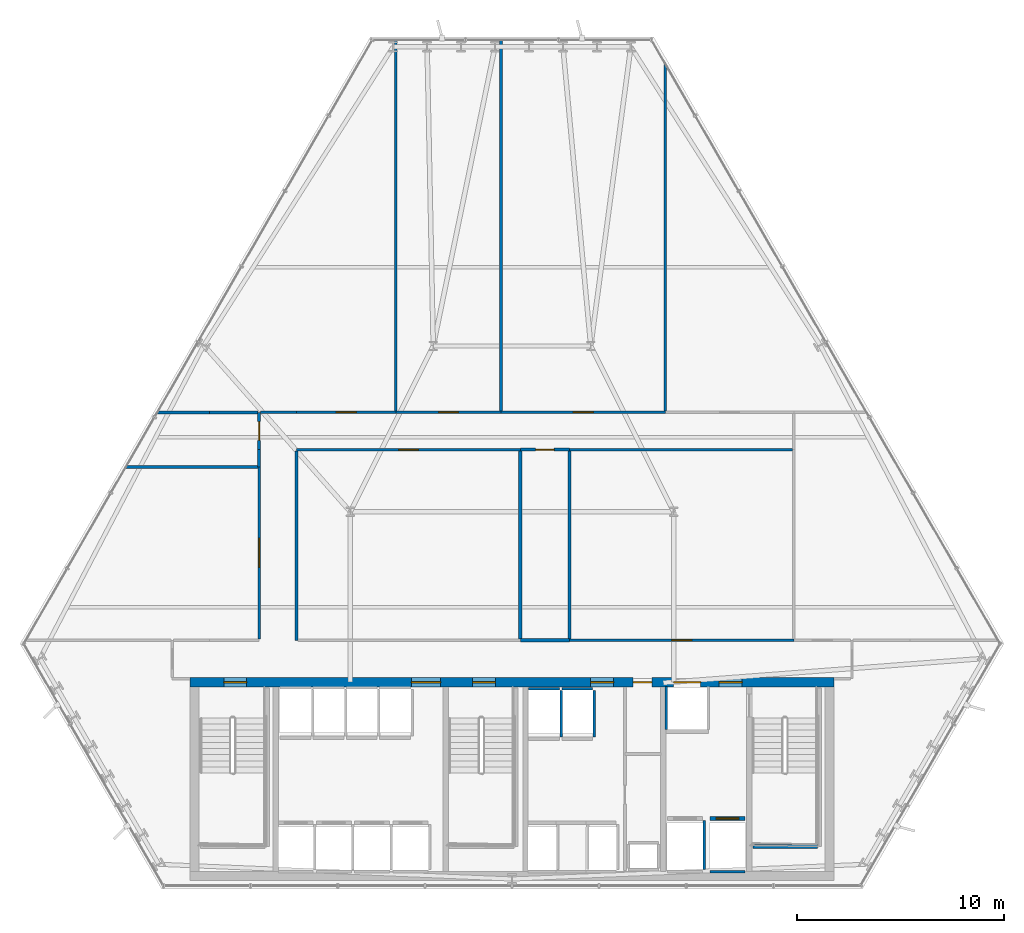
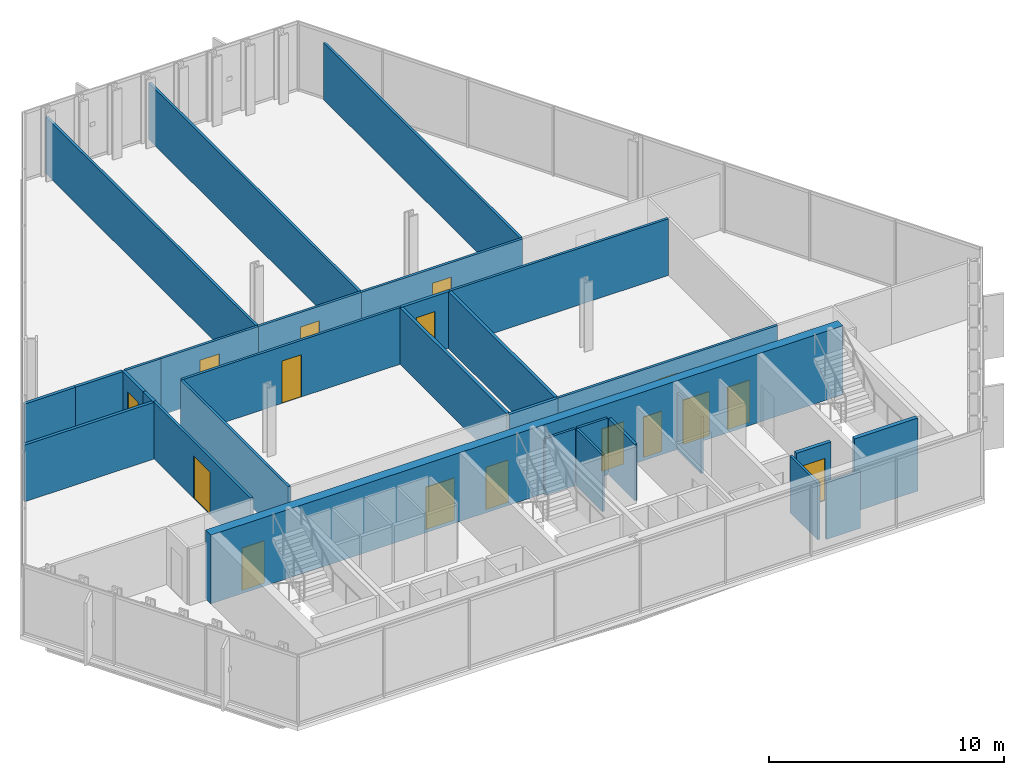
# One storey, part 26 of 31: 31 walls, 16 doors, 16 openings.
"""IFC4 building model written with IfcOpenShell, lengths in metres."""

from ifc_helpers import new_model, si_unit, direction, frame, frame_2d, origin, place, context, subcontext, project, spatial, rectangle, extrude, material, layer, layer_set, type_object, element, fill, save


model = new_model("IFC4")

# Units and contexts
model_context = context("Model", 3, precision=1e-05, world=origin(), true_north=direction((0.0, 1.0)))
body_context = subcontext(model_context, "Body", "Model", "MODEL_VIEW")
ifc_project = project(units=[si_unit("LENGTHUNIT", "METRE"), si_unit("AREAUNIT", "SQUARE_METRE"), si_unit("VOLUMEUNIT", "CUBIC_METRE"), si_unit("PLANEANGLEUNIT", "RADIAN"), si_unit("MASSUNIT", "GRAM", prefix="KILO")], contexts=[model_context])

# Site, building, storey
site_placement = place(None, origin())
site = spatial("IfcSite", under=ifc_project, at=site_placement, CompositionType="ELEMENT")
building_placement = place(site_placement, origin())
building = spatial("IfcBuilding", under=site, at=building_placement, Name="Ndaravel Arena Tower", CompositionType="ELEMENT")
storey_placement = place(building_placement, frame((0.0, 0.0, 104.39990234375)))
storey = spatial("IfcBuildingStorey", under=building, at=storey_placement, Name="L24", CompositionType="ELEMENT", Elevation=104.39990234375)

# Wall, openings, doors
ifc_material_1 = material(Name="Concrete C60/75", Category="concrete")
ifc_layer_1 = layer(ifc_material_1, 0.449951171875)
ifc_layer_set_1 = layer_set([ifc_layer_1], Name="Concrete C60/75")
wall_type_1 = type_object("IfcWallType", Name="WALL-CORE-450", PredefinedType="SOLIDWALL", material=ifc_layer_set_1)
wall_1_placement = place(storey_placement, frame((26.449951171875, 14.97509765625, 0.0), z_axis=(0.0, 0.0, 1.0), x_axis=(1.0, 0.0, 0.0)))
wall_1 = element("IfcWall", 1, at=wall_1_placement, inside=storey, type_object=wall_type_1, Name="L24 Core North Shear Wall", PredefinedType="SOLIDWALL", context=body_context, shape_type="SweptSolid", body=[
    extrude(rectangle(XDim=31.10009765625, YDim=0.449951171875, at=frame_2d((15.550048828125, 0.0))), origin(), (0.0, 0.0, 1.0), 3.580078125),
])
opening_1_placement = place(wall_1_placement, frame((1.64990234375, 0.0, 0.0)))
opening_1 = element("IfcOpeningElement", 2, at=opening_1_placement, cuts=wall_1, Name="Opening FD-01", PredefinedType="OPENING", context=body_context, shape_type="SweptSolid", body=[
    extrude(rectangle(XDim=1.10009765625, YDim=2.199951171875, at=frame_2d((0.550048828125, 1.10009765625))), frame((0.0, 0.22509765625, 0.0), z_axis=(0.0, -1.0, 0.0), x_axis=(1.0, 0.0, 0.0)), (0.0, 0.0, 1.0), 0.449951171875),
])
opening_2_placement = place(wall_1_placement, frame((13.64990234375, 0.0, 0.0)))
opening_2 = element("IfcOpeningElement", 3, at=opening_2_placement, cuts=wall_1, Name="Opening FD-01", PredefinedType="OPENING", context=body_context, shape_type="SweptSolid", body=[
    extrude(rectangle(XDim=1.10009765625, YDim=2.199951171875, at=frame_2d((0.550048828125, 1.10009765625))), frame((0.0, 0.22509765625, 0.0), z_axis=(0.0, -1.0, 0.0), x_axis=(1.0, 0.0, 0.0)), (0.0, 0.0, 1.0), 0.449951171875),
])
opening_3_placement = place(wall_1_placement, frame((25.550048828125, 0.0, 0.0)))
opening_3 = element("IfcOpeningElement", 4, at=opening_3_placement, cuts=wall_1, Name="Opening FD-01", PredefinedType="OPENING", context=body_context, shape_type="SweptSolid", body=[
    extrude(rectangle(XDim=1.10009765625, YDim=2.199951171875, at=frame_2d((0.550048828125, 1.10009765625))), frame((0.0, 0.22509765625, 0.0), z_axis=(0.0, -1.0, 0.0), x_axis=(1.0, 0.0, 0.0)), (0.0, 0.0, 1.0), 0.449951171875),
])
opening_4_placement = place(wall_1_placement, frame((10.699951171875, 0.0, 0.0)))
opening_4 = element("IfcOpeningElement", 5, at=opening_4_placement, cuts=wall_1, Name="Opening ID-02", PredefinedType="OPENING", context=body_context, shape_type="SweptSolid", body=[
    extrude(rectangle(XDim=1.39990234375, YDim=2.199951171875, at=frame_2d((0.699951171875, 1.10009765625))), frame((0.0, 0.22509765625, 0.0), z_axis=(0.0, -1.0, 0.0), x_axis=(1.0, 0.0, 0.0)), (0.0, 0.0, 1.0), 0.449951171875),
])
opening_5_placement = place(wall_1_placement, frame((19.35009765625, 0.0, 0.0)))
opening_5 = element("IfcOpeningElement", 6, at=opening_5_placement, cuts=wall_1, Name="Opening FD-01", PredefinedType="OPENING", context=body_context, shape_type="SweptSolid", body=[
    extrude(rectangle(XDim=1.10009765625, YDim=2.199951171875, at=frame_2d((0.550048828125, 1.10009765625))), frame((0.0, 0.22509765625, 0.0), z_axis=(0.0, -1.0, 0.0), x_axis=(1.0, 0.0, 0.0)), (0.0, 0.0, 1.0), 0.449951171875),
])
opening_6_placement = place(wall_1_placement, frame((21.39990234375, 0.0, 0.0)))
opening_6 = element("IfcOpeningElement", 7, at=opening_6_placement, cuts=wall_1, Name="Opening RD-01", PredefinedType="OPENING", context=body_context, shape_type="SweptSolid", body=[
    extrude(rectangle(XDim=0.89990234375, YDim=2.10009765625, at=frame_2d((0.449951171875, 1.050048828125))), frame((0.0, 0.22509765625, 0.0), z_axis=(0.0, -1.0, 0.0), x_axis=(1.0, 0.0, 0.0)), (0.0, 0.0, 1.0), 0.449951171875),
])
opening_7_placement = place(wall_1_placement, frame((23.35009765625, 0.0, 0.0)))
opening_7 = element("IfcOpeningElement", 8, at=opening_7_placement, cuts=wall_1, Name="Opening LD-02", PredefinedType="OPENING", context=body_context, shape_type="SweptSolid", body=[
    extrude(rectangle(XDim=1.300048828125, YDim=2.300048828125, at=frame_2d((0.64990234375, 1.14990234375))), frame((0.0, 0.22509765625, 0.0), z_axis=(0.0, -1.0, 0.0), x_axis=(1.0, 0.0, 0.0)), (0.0, 0.0, 1.0), 0.449951171875),
])
ifc_material_2 = material(Name="Steel S355", Category="steel")
door_type_1 = type_object("IfcDoorType", Name="DT-01-STAIR-1100", OperationType="SINGLE_SWING_LEFT", PredefinedType="DOOR", material=ifc_material_2)
door_1_placement = place(opening_1_placement, origin())
door_1 = element("IfcDoor", 9, at=door_1_placement, inside=storey, type_object=door_type_1, Name="L24 Exit Stair ST-1 Door", OperationType="SINGLE_SWING_LEFT", OverallHeight=2.199951171875, OverallWidth=1.10009765625, PredefinedType="DOOR", context=body_context, shape_type="SweptSolid", body=[
    extrude(rectangle(XDim=1.10009765625, YDim=2.199951171875, at=frame_2d((0.550048828125, 1.10009765625))), frame((0.0, 0.02490234375, 0.0), z_axis=(0.0, -1.0, 0.0), x_axis=(1.0, 0.0, 0.0)), (0.0, 0.0, 1.0), 0.050048828125),
])
fill(opening_1, door_1)
door_2_placement = place(opening_2_placement, origin())
door_2 = element("IfcDoor", 10, at=door_2_placement, inside=storey, type_object=door_type_1, Name="L24 Exit Stair ST-2 Door", OperationType="SINGLE_SWING_RIGHT", OverallHeight=2.199951171875, OverallWidth=1.10009765625, PredefinedType="DOOR", context=body_context, shape_type="SweptSolid", body=[
    extrude(rectangle(XDim=1.10009765625, YDim=2.199951171875, at=frame_2d((0.550048828125, 1.10009765625))), frame((0.0, 0.02490234375, 0.0), z_axis=(0.0, -1.0, 0.0), x_axis=(1.0, 0.0, 0.0)), (0.0, 0.0, 1.0), 0.050048828125),
])
fill(opening_2, door_2)
door_3_placement = place(opening_3_placement, origin())
door_3 = element("IfcDoor", 11, at=door_3_placement, inside=storey, type_object=door_type_1, Name="L24 Firefighting Lift Lobby Door", OperationType="SINGLE_SWING_RIGHT", OverallHeight=2.199951171875, OverallWidth=1.10009765625, PredefinedType="DOOR", context=body_context, shape_type="SweptSolid", body=[
    extrude(rectangle(XDim=1.10009765625, YDim=2.199951171875, at=frame_2d((0.550048828125, 1.10009765625))), frame((0.0, 0.02490234375, 0.0), z_axis=(0.0, -1.0, 0.0), x_axis=(1.0, 0.0, 0.0)), (0.0, 0.0, 1.0), 0.050048828125),
])
fill(opening_3, door_3)
door_4_placement = place(opening_5_placement, origin())
door_4 = element("IfcDoor", 12, at=door_4_placement, inside=storey, type_object=door_type_1, Name="L24 Express Lift Lobby Entry Door", OperationType="SINGLE_SWING_LEFT", OverallHeight=2.199951171875, OverallWidth=1.10009765625, PredefinedType="DOOR", context=body_context, shape_type="SweptSolid", body=[
    extrude(rectangle(XDim=1.10009765625, YDim=2.199951171875, at=frame_2d((0.550048828125, 1.10009765625))), frame((0.0, 0.02490234375, 0.0), z_axis=(0.0, -1.0, 0.0), x_axis=(1.0, 0.0, 0.0)), (0.0, 0.0, 1.0), 0.050048828125),
])
fill(opening_5, door_4)
ifc_material_3 = material(Name="Timber", Category="wood")
door_type_2 = type_object("IfcDoorType", Name="DT-04-SUITE-1400", OperationType="DOUBLE_DOOR_SINGLE_SWING", PredefinedType="DOOR", material=ifc_material_3)
door_5_placement = place(opening_4_placement, origin())
door_5 = element("IfcDoor", 13, at=door_5_placement, inside=storey, type_object=door_type_2, Name="L24 West Lift Lobby Entry Door", OperationType="DOUBLE_DOOR_SINGLE_SWING", OverallHeight=2.199951171875, OverallWidth=1.39990234375, PredefinedType="DOOR", context=body_context, shape_type="SweptSolid", body=[
    extrude(rectangle(XDim=1.39990234375, YDim=2.199951171875, at=frame_2d((0.699951171875, 1.10009765625))), frame((0.0, 0.02490234375, 0.0), z_axis=(0.0, -1.0, 0.0), x_axis=(1.0, 0.0, 0.0)), (0.0, 0.0, 1.0), 0.050048828125),
])
fill(opening_4, door_5)
ifc_material_4 = material(Name="Steel S355", Category="steel")
door_type_3 = type_object("IfcDoorType", Name="DT-07-SVLIFT-1300", OperationType="DOUBLE_DOOR_SLIDING", PredefinedType="DOOR", material=ifc_material_4)
door_6_placement = place(opening_7_placement, origin())
door_6 = element("IfcDoor", 14, at=door_6_placement, inside=storey, type_object=door_type_3, Name="L24 Lift SVL-1 Sliding Landing Door", OperationType="DOUBLE_DOOR_SLIDING", OverallHeight=2.300048828125, OverallWidth=1.300048828125, PredefinedType="DOOR", context=body_context, shape_type="SweptSolid", body=[
    extrude(rectangle(XDim=1.300048828125, YDim=2.300048828125, at=frame_2d((0.64990234375, 1.14990234375))), frame((0.0, 0.02490234375, 0.0), z_axis=(0.0, -1.0, 0.0), x_axis=(1.0, 0.0, 0.0)), (0.0, 0.0, 1.0), 0.050048828125),
])
fill(opening_7, door_6)
ifc_material_5 = material(Name="Steel S355", Category="steel")
door_type_4 = type_object("IfcDoorType", Name="DT-08-RISER-900", OperationType="SINGLE_SWING_LEFT", PredefinedType="DOOR", material=ifc_material_5)
door_7_placement = place(opening_6_placement, origin())
door_7 = element("IfcDoor", 15, at=door_7_placement, inside=storey, type_object=door_type_4, Name="L24 Core Service Riser North Door", OperationType="SINGLE_SWING_LEFT", OverallHeight=2.10009765625, OverallWidth=0.89990234375, PredefinedType="DOOR", context=body_context, shape_type="SweptSolid", body=[
    extrude(rectangle(XDim=0.89990234375, YDim=2.10009765625, at=frame_2d((0.449951171875, 1.050048828125))), frame((0.0, 0.02490234375, 0.0), z_axis=(0.0, -1.0, 0.0), x_axis=(1.0, 0.0, 0.0)), (0.0, 0.0, 1.0), 0.050048828125),
])
fill(opening_6, door_7)

# Wall, opening, door
ifc_material_6 = material(Name="Gypsum", Category="gypsum")
ifc_layer_2 = layer(ifc_material_6, 0.125)
ifc_layer_set_2 = layer_set([ifc_layer_2], Name="Gypsum")
wall_type_2 = type_object("IfcWallType", Name="WALL-PART-125", PredefinedType="PARTITIONING", material=ifc_layer_set_2)
wall_2_placement = place(storey_placement, frame((29.800048828125, 17.06494140625, 0.0), z_axis=(0.0, 0.0, 1.0), x_axis=(0.0, 1.0, 0.0)))
wall_2 = element("IfcWall", 16, at=wall_2_placement, inside=storey, type_object=wall_type_2, Name="L24 Interior Partition 007", PredefinedType="PARTITIONING", context=body_context, shape_type="SweptSolid", body=[
    extrude(rectangle(XDim=8.295166015625, YDim=0.125, at=frame_2d((4.1474609375, 0.0))), origin(), (0.0, 0.0, 1.0), 2.9501953125),
])
opening_8_placement = place(wall_2_placement, frame((3.447509765625, 0.0, 0.0)))
opening_8 = element("IfcOpeningElement", 17, at=opening_8_placement, cuts=wall_2, Name="Opening ID-02", PredefinedType="OPENING", context=body_context, shape_type="SweptSolid", body=[
    extrude(rectangle(XDim=1.39990234375, YDim=2.199951171875, at=frame_2d((0.699951171875, 1.10009765625))), frame((0.0, 0.0625, 0.0), z_axis=(0.0, -1.0, 0.0), x_axis=(1.0, 0.0, 0.0)), (0.0, 0.0, 1.0), 0.125),
])
door_8_placement = place(opening_8_placement, origin())
door_8 = element("IfcDoor", 18, at=door_8_placement, inside=storey, type_object=door_type_2, Name="L24 Executive Boardroom Door", OperationType="SINGLE_SWING_LEFT", OverallHeight=2.199951171875, OverallWidth=1.39990234375, PredefinedType="DOOR", context=body_context, shape_type="SweptSolid", body=[
    extrude(rectangle(XDim=1.39990234375, YDim=2.199951171875, at=frame_2d((0.699951171875, 1.10009765625))), frame((0.0, 0.02490234375, 0.0), z_axis=(0.0, -1.0, 0.0), x_axis=(1.0, 0.0, 0.0)), (0.0, 0.0, 1.0), 0.050048828125),
])
fill(opening_8, door_8)

# Wall
wall_3_placement = place(storey_placement, frame((29.864990234375, 28.0, 0.0), z_axis=(0.0, 0.0, 1.0), x_axis=(1.0, 0.0, 0.0)))
element("IfcWall", 19, at=wall_3_placement, inside=storey, type_object=wall_type_2, Name="L24 Interior Partition 010", PredefinedType="PARTITIONING", context=body_context, shape_type="SweptSolid", body=[
    extrude(rectangle(XDim=1.735107421875, YDim=0.125, at=frame_2d((0.86767578125, 0.0))), origin(), (0.0, 0.0, 1.0), 2.9501953125),
])

# Wall, opening, door
wall_4_placement = place(storey_placement, frame((31.60009765625, 28.0, 0.0), z_axis=(0.0, 0.0, 1.0), x_axis=(1.0, 0.0, 0.0)))
wall_4 = element("IfcWall", 20, at=wall_4_placement, inside=storey, type_object=wall_type_2, Name="L24 Interior Partition 011", PredefinedType="PARTITIONING", context=body_context, shape_type="SweptSolid", body=[
    extrude(rectangle(XDim=4.7998046875, YDim=0.125, at=frame_2d((2.39990234375, 0.0))), origin(), (0.0, 0.0, 1.0), 2.9501953125),
])
opening_9_placement = place(wall_4_placement, frame((1.925048828125, 0.0, 0.0)))
opening_9 = element("IfcOpeningElement", 21, at=opening_9_placement, cuts=wall_4, Name="Opening ID-01", PredefinedType="OPENING", context=body_context, shape_type="SweptSolid", body=[
    extrude(rectangle(XDim=0.949951171875, YDim=2.199951171875, at=frame_2d((0.47509765625, 1.10009765625))), frame((0.0, 0.0625, 0.0), z_axis=(0.0, -1.0, 0.0), x_axis=(1.0, 0.0, 0.0)), (0.0, 0.0, 1.0), 0.125),
])
ifc_material_7 = material(Name="Timber", Category="wood")
door_type_5 = type_object("IfcDoorType", Name="DT-03-OFFICE-950", OperationType="SINGLE_SWING_LEFT", PredefinedType="DOOR", material=ifc_material_7)
door_9_placement = place(opening_9_placement, origin())
door_9 = element("IfcDoor", 22, at=door_9_placement, inside=storey, type_object=door_type_5, Name="L24 Innovation Showroom 3 Door", OperationType="SINGLE_SWING_RIGHT", OverallHeight=2.199951171875, OverallWidth=0.949951171875, PredefinedType="DOOR", context=body_context, shape_type="SweptSolid", body=[
    extrude(rectangle(XDim=0.949951171875, YDim=2.199951171875, at=frame_2d((0.47509765625, 1.10009765625))), frame((0.0, 0.02490234375, 0.0), z_axis=(0.0, -1.0, 0.0), x_axis=(1.0, 0.0, 0.0)), (0.0, 0.0, 1.0), 0.050048828125),
])
fill(opening_9, door_9)

wall_5_placement = place(storey_placement, frame((36.39990234375, 28.0, 0.0), z_axis=(0.0, 0.0, 1.0), x_axis=(1.0, 0.0, 0.0)))
wall_5 = element("IfcWall", 23, at=wall_5_placement, inside=storey, type_object=wall_type_2, Name="L24 Interior Partition 012", PredefinedType="PARTITIONING", context=body_context, shape_type="SweptSolid", body=[
    extrude(rectangle(XDim=5.070068359375, YDim=0.125, at=frame_2d((2.53515625, 0.0))), origin(), (0.0, 0.0, 1.0), 2.9501953125),
])
opening_10_placement = place(wall_5_placement, frame((2.06005859375, 0.0, 0.0)))
opening_10 = element("IfcOpeningElement", 24, at=opening_10_placement, cuts=wall_5, Name="Opening ID-01", PredefinedType="OPENING", context=body_context, shape_type="SweptSolid", body=[
    extrude(rectangle(XDim=0.949951171875, YDim=2.199951171875, at=frame_2d((0.47509765625, 1.10009765625))), frame((0.0, 0.0625, 0.0), z_axis=(0.0, -1.0, 0.0), x_axis=(1.0, 0.0, 0.0)), (0.0, 0.0, 1.0), 0.125),
])
door_10_placement = place(opening_10_placement, origin())
door_10 = element("IfcDoor", 25, at=door_10_placement, inside=storey, type_object=door_type_5, Name="L24 Publication Shop 4 Door", OperationType="SINGLE_SWING_RIGHT", OverallHeight=2.199951171875, OverallWidth=0.949951171875, PredefinedType="DOOR", context=body_context, shape_type="SweptSolid", body=[
    extrude(rectangle(XDim=0.949951171875, YDim=2.199951171875, at=frame_2d((0.47509765625, 1.10009765625))), frame((0.0, 0.02490234375, 0.0), z_axis=(0.0, -1.0, 0.0), x_axis=(1.0, 0.0, 0.0)), (0.0, 0.0, 1.0), 0.050048828125),
])
fill(opening_10, door_10)

wall_6_placement = place(storey_placement, frame((41.469970703125, 28.0, 0.0), z_axis=(0.0, 0.0, 1.0), x_axis=(1.0, 0.0, 0.0)))
wall_6 = element("IfcWall", 26, at=wall_6_placement, inside=storey, type_object=wall_type_2, Name="L24 Interior Partition 013", PredefinedType="PARTITIONING", context=body_context, shape_type="SweptSolid", body=[
    extrude(rectangle(XDim=7.929931640625, YDim=0.125, at=frame_2d((3.96484375, 0.0))), origin(), (0.0, 0.0, 1.0), 2.9501953125),
])
opening_11_placement = place(wall_6_placement, frame((3.489990234375, 0.0, 0.0)))
opening_11 = element("IfcOpeningElement", 27, at=opening_11_placement, cuts=wall_6, Name="Opening ID-01", PredefinedType="OPENING", context=body_context, shape_type="SweptSolid", body=[
    extrude(rectangle(XDim=0.949951171875, YDim=2.199951171875, at=frame_2d((0.47509765625, 1.10009765625))), frame((0.0, 0.0625, 0.0), z_axis=(0.0, -1.0, 0.0), x_axis=(1.0, 0.0, 0.0)), (0.0, 0.0, 1.0), 0.125),
])
door_11_placement = place(opening_11_placement, origin())
door_11 = element("IfcDoor", 28, at=door_11_placement, inside=storey, type_object=door_type_5, Name="L24 Executive Corner Office 4 Door", OperationType="SINGLE_SWING_LEFT", OverallHeight=2.199951171875, OverallWidth=0.949951171875, PredefinedType="DOOR", context=body_context, shape_type="SweptSolid", body=[
    extrude(rectangle(XDim=0.949951171875, YDim=2.199951171875, at=frame_2d((0.47509765625, 1.10009765625))), frame((0.0, 0.02490234375, 0.0), z_axis=(0.0, -1.0, 0.0), x_axis=(1.0, 0.0, 0.0)), (0.0, 0.0, 1.0), 0.050048828125),
])
fill(opening_11, door_11)

# Wall
wall_7_placement = place(storey_placement, frame((55.534912109375, 26.199951171875, 0.0), z_axis=(0.0, 0.0, 1.0), x_axis=(-1.0, 0.0, 0.0)))
element("IfcWall", 29, at=wall_7_placement, inside=storey, type_object=wall_type_2, Name="L24 Interior Partition 016", PredefinedType="PARTITIONING", context=body_context, shape_type="SweptSolid", body=[
    extrude(rectangle(XDim=10.759033203125, YDim=0.125, at=frame_2d((5.37939453125, 0.0))), origin(), (0.0, 0.0, 1.0), 2.9501953125),
])

# Wall, opening, door
wall_8_placement = place(storey_placement, frame((42.39990234375, 26.199951171875, 0.0), z_axis=(0.0, 0.0, 1.0), x_axis=(-1.0, 0.0, 0.0)))
wall_8 = element("IfcWall", 30, at=wall_8_placement, inside=storey, type_object=wall_type_2, Name="L24 Interior Partition 018", PredefinedType="PARTITIONING", context=body_context, shape_type="SweptSolid", body=[
    extrude(rectangle(XDim=10.7998046875, YDim=0.125, at=frame_2d((5.39990234375, 0.0))), origin(), (0.0, 0.0, 1.0), 2.9501953125),
])
opening_12_placement = place(wall_8_placement, frame((4.925048828125, 0.0, 0.0)))
opening_12 = element("IfcOpeningElement", 31, at=opening_12_placement, cuts=wall_8, Name="Opening ID-01", PredefinedType="OPENING", context=body_context, shape_type="SweptSolid", body=[
    extrude(rectangle(XDim=0.949951171875, YDim=2.199951171875, at=frame_2d((0.47509765625, 1.10009765625))), frame((0.0, 0.0625, 0.0), z_axis=(0.0, -1.0, 0.0), x_axis=(1.0, 0.0, 0.0)), (0.0, 0.0, 1.0), 0.125),
])
door_12_placement = place(opening_12_placement, origin())
door_12 = element("IfcDoor", 32, at=door_12_placement, inside=storey, type_object=door_type_5, Name="L24 Quiet Reading Library Door", OperationType="SINGLE_SWING_RIGHT", OverallHeight=2.199951171875, OverallWidth=0.949951171875, PredefinedType="DOOR", context=body_context, shape_type="SweptSolid", body=[
    extrude(rectangle(XDim=0.949951171875, YDim=2.199951171875, at=frame_2d((0.47509765625, 1.10009765625))), frame((0.0, 0.02490234375, 0.0), z_axis=(0.0, -1.0, 0.0), x_axis=(1.0, 0.0, 0.0)), (0.0, 0.0, 1.0), 0.050048828125),
])
fill(opening_12, door_12)

# Wall
wall_9_placement = place(storey_placement, frame((31.60009765625, 26.135009765625, 0.0), z_axis=(0.0, 0.0, 1.0), x_axis=(0.0, -1.0, 0.0)))
element("IfcWall", 33, at=wall_9_placement, inside=storey, type_object=wall_type_2, Name="L24 Interior Partition 019", PredefinedType="PARTITIONING", context=body_context, shape_type="SweptSolid", body=[
    extrude(rectangle(XDim=9.135009765625, YDim=0.125, at=frame_2d((4.5673828125, 0.0))), origin(), (0.0, 0.0, 1.0), 2.9501953125),
])

# Wall, opening, door
wall_10_placement = place(storey_placement, frame((44.77587890625, 17.0, 0.0), z_axis=(0.0, 0.0, 1.0), x_axis=(1.0, 0.0, 0.0)))
wall_10 = element("IfcWall", 34, at=wall_10_placement, inside=storey, type_object=wall_type_2, Name="L24 Interior Partition 022", PredefinedType="PARTITIONING", context=body_context, shape_type="SweptSolid", body=[
    extrude(rectangle(XDim=10.82421875, YDim=0.125, at=frame_2d((5.412109375, 0.0))), origin(), (0.0, 0.0, 1.0), 2.9501953125),
])
opening_13_placement = place(wall_10_placement, frame((4.93701171875, 0.0, 0.0)))
opening_13 = element("IfcOpeningElement", 35, at=opening_13_placement, cuts=wall_10, Name="Opening ID-01", PredefinedType="OPENING", context=body_context, shape_type="SweptSolid", body=[
    extrude(rectangle(XDim=0.949951171875, YDim=2.199951171875, at=frame_2d((0.47509765625, 1.10009765625))), frame((0.0, 0.0625, 0.0), z_axis=(0.0, -1.0, 0.0), x_axis=(1.0, 0.0, 0.0)), (0.0, 0.0, 1.0), 0.125),
])
door_13_placement = place(opening_13_placement, origin())
door_13 = element("IfcDoor", 36, at=door_13_placement, inside=storey, type_object=door_type_5, Name="L24 Cellular Partner Office 2 Door", OperationType="SINGLE_SWING_RIGHT", OverallHeight=2.199951171875, OverallWidth=0.949951171875, PredefinedType="DOOR", context=body_context, shape_type="SweptSolid", body=[
    extrude(rectangle(XDim=0.949951171875, YDim=2.199951171875, at=frame_2d((0.47509765625, 1.10009765625))), frame((0.0, 0.02490234375, 0.0), z_axis=(0.0, -1.0, 0.0), x_axis=(1.0, 0.0, 0.0)), (0.0, 0.0, 1.0), 0.050048828125),
])
fill(opening_13, door_13)

# Walls
wall_11_placement = place(storey_placement, frame((49.39990234375, 28.06494140625, 0.0), z_axis=(0.0, 0.0, 1.0), x_axis=(0.0, 1.0, 0.0)))
element("IfcWall", 37, at=wall_11_placement, inside=storey, type_object=wall_type_2, Name="L24 Interior Partition 034", PredefinedType="PARTITIONING", context=body_context, shape_type="SweptSolid", body=[
    extrude(rectangle(XDim=16.75341796875, YDim=0.125, at=frame_2d((8.376708984375, 0.0))), origin(), (0.0, 0.0, 1.0), 2.9501953125),
])
for number, where, z_axis, x_axis, name in (
    (38, (36.39990234375, 45.962646484375, 0.0), (0.0, 0.0, 1.0), (0.0, -1.0, 0.0), "L24 Interior Partition 035"),
    (39, (41.469970703125, 28.06494140625, 0.0), (0.0, 0.0, 1.0), (0.0, 1.0, 0.0), "L24 Interior Partition 036"),
):
    element("IfcWall", number, at=place(storey_placement, frame(where, z_axis=z_axis, x_axis=x_axis)), inside=storey, type_object=wall_type_2, Name=name, PredefinedType="PARTITIONING", context=body_context, shape_type="SweptSolid", body=[
        extrude(rectangle(XDim=17.897705078125, YDim=0.125, at=frame_2d((8.94873046875, 0.0))), origin(), (0.0, 0.0, 1.0), 2.9501953125),
    ])
ifc_material_8 = material(Name="Concrete C40/50", Category="concrete")
ifc_layer_3 = layer(ifc_material_8, 0.1201171875)
ifc_layer_set_3 = layer_set([ifc_layer_3], Name="Concrete C40/50")
wall_type_3 = type_object("IfcWallType", Name="WALL-SHAFT-120", PredefinedType="SOLIDWALL", material=ifc_layer_set_3)
wall_12_placement = place(storey_placement, frame((42.804931640625, 14.659912109375, 0.0), z_axis=(0.0, 0.0, 1.0), x_axis=(1.0, 0.0, 0.0)))
element("IfcWall", 40, at=wall_12_placement, inside=storey, type_object=wall_type_3, Name="L24 PL-OBS1 Shaft Rear Wall", PredefinedType="SOLIDWALL", context=body_context, shape_type="SweptSolid", body=[
    extrude(rectangle(XDim=1.489990234375, YDim=0.1201171875, at=frame_2d((0.7451171875, 0.0))), origin(), (0.0, 0.0, 1.0), 2.9501953125),
])
wall_13_placement = place(storey_placement, frame((44.375, 12.340087890625, 0.0), z_axis=(0.0, 0.0, 1.0), x_axis=(0.0, 1.0, 0.0)))
element("IfcWall", 41, at=wall_13_placement, inside=storey, type_object=wall_type_3, Name="L24 PL-OBS1 Shaft Side R Wall", PredefinedType="SOLIDWALL", context=body_context, shape_type="SweptSolid", body=[
    extrude(rectangle(XDim=2.22998046875, YDim=0.1201171875, at=frame_2d((1.114990234375, 0.0))), origin(), (0.0, 0.0, 1.0), 2.9501953125),
])
wall_14_placement = place(storey_placement, frame((44.405029296875, 14.659912109375, 0.0), z_axis=(0.0, 0.0, 1.0), x_axis=(1.0, 0.0, 0.0)))
element("IfcWall", 42, at=wall_14_placement, inside=storey, type_object=wall_type_3, Name="L24 PL-OBS2 Shaft Rear Wall", PredefinedType="SOLIDWALL", context=body_context, shape_type="SweptSolid", body=[
    extrude(rectangle(XDim=1.489990234375, YDim=0.1201171875, at=frame_2d((0.7451171875, 0.0))), origin(), (0.0, 0.0, 1.0), 2.9501953125),
])
wall_15_placement = place(storey_placement, frame((45.97509765625, 12.340087890625, 0.0), z_axis=(0.0, 0.0, 1.0), x_axis=(0.0, 1.0, 0.0)))
element("IfcWall", 43, at=wall_15_placement, inside=storey, type_object=wall_type_3, Name="L24 PL-OBS2 Shaft Side R Wall", PredefinedType="SOLIDWALL", context=body_context, shape_type="SweptSolid", body=[
    extrude(rectangle(XDim=2.22998046875, YDim=0.1201171875, at=frame_2d((1.114990234375, 0.0))), origin(), (0.0, 0.0, 1.0), 2.9501953125),
])
wall_16_placement = place(storey_placement, frame((51.27490234375, 5.929931640625, 0.0), z_axis=(0.0, 0.0, 1.0), x_axis=(0.0, 1.0, 0.0)))
element("IfcWall", 44, at=wall_16_placement, inside=storey, type_object=wall_type_3, Name="L24 FFL-1 Shaft Side R Wall", PredefinedType="SOLIDWALL", context=body_context, shape_type="SweptSolid", body=[
    extrude(rectangle(XDim=2.380126953125, YDim=0.1201171875, at=frame_2d((1.18994140625, 0.0))), origin(), (0.0, 0.0, 1.0), 2.9501953125),
])
wall_17_placement = place(storey_placement, frame((51.554931640625, 5.840087890625, 0.0), z_axis=(0.0, 0.0, 1.0), x_axis=(1.0, 0.0, 0.0)))
element("IfcWall", 45, at=wall_17_placement, inside=storey, type_object=wall_type_3, Name="L24 FFL-2 Shaft Rear Wall", PredefinedType="SOLIDWALL", context=body_context, shape_type="SweptSolid", body=[
    extrude(rectangle(XDim=1.690185546875, YDim=0.1201171875, at=frame_2d((0.84521484375, 0.0))), origin(), (0.0, 0.0, 1.0), 2.9501953125),
])
wall_18_placement = place(storey_placement, frame((49.43994140625, 12.68994140625, 0.0), z_axis=(0.0, 0.0, 1.0), x_axis=(0.0, 1.0, 0.0)))
element("IfcWall", 46, at=wall_18_placement, inside=storey, type_object=wall_type_3, Name="L24 SVL-1 Shaft W Wall", PredefinedType="SOLIDWALL", context=body_context, shape_type="SweptSolid", body=[
    extrude(rectangle(XDim=2.070068359375, YDim=0.1201171875, at=frame_2d((1.03515625, 0.0))), origin(), (0.0, 0.0, 1.0), 2.9501953125),
])
ifc_material_9 = material(Name="Concrete C40/50", Category="concrete")
ifc_layer_4 = layer(ifc_material_9, 0.199951171875)
ifc_layer_set_4 = layer_set([ifc_layer_4], Name="Concrete C40/50")
wall_type_4 = type_object("IfcWallType", Name="WALL-SHAFT-200", PredefinedType="SOLIDWALL", material=ifc_layer_set_4)
wall_19_placement = place(storey_placement, frame((53.6201171875, 7.050048828125, 0.0), z_axis=(0.0, 0.0, 1.0), x_axis=(1.0, 0.0, 0.0)))
element("IfcWall", 47, at=wall_19_placement, inside=storey, type_object=wall_type_4, Name="L24 ST-3 Structural Shaft Wall Far", PredefinedType="SOLIDWALL", context=body_context, shape_type="SweptSolid", body=[
    extrude(rectangle(XDim=3.114990234375, YDim=0.199951171875, at=frame_2d((1.5576171875, 0.0))), origin(), (0.0, 0.0, 1.0), 3.800048828125),
])

# Wall, opening, door
wall_20_placement = place(storey_placement, frame((51.554931640625, 8.39990234375, 0.0), z_axis=(0.0, 0.0, 1.0), x_axis=(1.0, 0.0, 0.0)))
wall_20 = element("IfcWall", 48, at=wall_20_placement, inside=storey, type_object=wall_type_4, Name="L24 FFL-2 Shaft Landing Wall", PredefinedType="SOLIDWALL", context=body_context, shape_type="SweptSolid", body=[
    extrude(rectangle(XDim=1.690185546875, YDim=0.179931640625, at=frame_2d((0.84521484375, 0.0))), origin(), (0.0, 0.0, 1.0), 2.9501953125),
])
opening_14_placement = place(wall_20_placement, frame((0.294921875, 0.0, 0.0)))
opening_14 = element("IfcOpeningElement", 49, at=opening_14_placement, cuts=wall_20, Name="Opening LD-01", PredefinedType="OPENING", context=body_context, shape_type="SweptSolid", body=[
    extrude(rectangle(XDim=1.10009765625, YDim=2.199951171875, at=frame_2d((0.550048828125, 1.10009765625))), frame((0.0, 0.08984375, 0.0), z_axis=(0.0, -1.0, 0.0), x_axis=(1.0, 0.0, 0.0)), (0.0, 0.0, 1.0), 0.179931640625),
])
ifc_material_10 = material(Name="Steel S355", Category="steel")
door_type_6 = type_object("IfcDoorType", Name="DT-06-LIFT-1100", OperationType="SLIDING_TO_LEFT", PredefinedType="DOOR", material=ifc_material_10)
door_14_placement = place(opening_14_placement, origin())
door_14 = element("IfcDoor", 50, at=door_14_placement, inside=storey, type_object=door_type_6, Name="L24 Lift FFL-2 Sliding Landing Door", OperationType="SLIDING_TO_LEFT", OverallHeight=2.199951171875, OverallWidth=1.10009765625, PredefinedType="DOOR", context=body_context, shape_type="SweptSolid", body=[
    extrude(rectangle(XDim=1.10009765625, YDim=2.199951171875, at=frame_2d((0.550048828125, 1.10009765625))), frame((0.0, 0.02490234375, 0.0), z_axis=(0.0, -1.0, 0.0), x_axis=(1.0, 0.0, 0.0)), (0.0, 0.0, 1.0), 0.050048828125),
])
fill(opening_14, door_14)

# Wall
ifc_material_11 = material(Name="Masonry", Category="masonry")
ifc_layer_5 = layer(ifc_material_11, 0.14990234375)
ifc_layer_set_5 = layer_set([ifc_layer_5], Name="Masonry")
wall_type_5 = type_object("IfcWallType", Name="WALL-WET-150", PredefinedType="PARTITIONING", material=ifc_layer_set_5)
wall_21_placement = place(storey_placement, frame((29.800048828125, 25.360107421875, 0.0), z_axis=(0.0, 0.0, 1.0), x_axis=(0.0, 1.0, 0.0)))
element("IfcWall", 51, at=wall_21_placement, inside=storey, type_object=wall_type_5, Name="L24 Interior Partition 008", PredefinedType="PARTITIONING", context=body_context, shape_type="SweptSolid", body=[
    extrude(rectangle(XDim=0.83984375, YDim=0.14990234375, at=frame_2d((0.419921875, 0.0))), origin(), (0.0, 0.0, 1.0), 2.9501953125),
])

# Wall, opening, door
wall_22_placement = place(storey_placement, frame((29.800048828125, 26.199951171875, 0.0), z_axis=(0.0, 0.0, 1.0), x_axis=(0.0, 1.0, 0.0)))
wall_22 = element("IfcWall", 52, at=wall_22_placement, inside=storey, type_object=wall_type_5, Name="L24 Interior Partition 009", PredefinedType="PARTITIONING", context=body_context, shape_type="SweptSolid", body=[
    extrude(rectangle(XDim=1.800048828125, YDim=0.14990234375, at=frame_2d((0.89990234375, 0.0))), origin(), (0.0, 0.0, 1.0), 2.9501953125),
])
opening_15_placement = place(wall_22_placement, frame((0.449951171875, 0.0, 0.0)))
opening_15 = element("IfcOpeningElement", 53, at=opening_15_placement, cuts=wall_22, Name="Opening WD-01", PredefinedType="OPENING", context=body_context, shape_type="SweptSolid", body=[
    extrude(rectangle(XDim=0.89990234375, YDim=2.14990234375, at=frame_2d((0.449951171875, 1.074951171875))), frame((0.0, 0.074951171875, 0.0), z_axis=(0.0, -1.0, 0.0), x_axis=(1.0, 0.0, 0.0)), (0.0, 0.0, 1.0), 0.14990234375),
])
ifc_material_12 = material(Name="Timber", Category="wood")
door_type_7 = type_object("IfcDoorType", Name="DT-05-WC-900", OperationType="SINGLE_SWING_LEFT", PredefinedType="DOOR", material=ifc_material_12)
door_15_placement = place(opening_15_placement, origin())
door_15 = element("IfcDoor", 54, at=door_15_placement, inside=storey, type_object=door_type_7, Name="L24 Female & Accessible Restroom Door", OperationType="SINGLE_SWING_RIGHT", OverallHeight=2.14990234375, OverallWidth=0.89990234375, PredefinedType="DOOR", context=body_context, shape_type="SweptSolid", body=[
    extrude(rectangle(XDim=0.89990234375, YDim=2.14990234375, at=frame_2d((0.449951171875, 1.074951171875))), frame((0.0, 0.02490234375, 0.0), z_axis=(0.0, -1.0, 0.0), x_axis=(1.0, 0.0, 0.0)), (0.0, 0.0, 1.0), 0.050048828125),
])
fill(opening_15, door_15)

wall_23_placement = place(storey_placement, frame((44.77587890625, 26.199951171875, 0.0), z_axis=(0.0, 0.0, 1.0), x_axis=(-1.0, 0.0, 0.0)))
wall_23 = element("IfcWall", 55, at=wall_23_placement, inside=storey, type_object=wall_type_5, Name="L24 Interior Partition 017", PredefinedType="PARTITIONING", context=body_context, shape_type="SweptSolid", body=[
    extrude(rectangle(XDim=2.3759765625, YDim=0.14990234375, at=frame_2d((1.18798828125, 0.0))), origin(), (0.0, 0.0, 1.0), 2.9501953125),
])
opening_16_placement = place(wall_23_placement, frame((0.738037109375, 0.0, 0.0)))
opening_16 = element("IfcOpeningElement", 56, at=opening_16_placement, cuts=wall_23, Name="Opening WD-01", PredefinedType="OPENING", context=body_context, shape_type="SweptSolid", body=[
    extrude(rectangle(XDim=0.89990234375, YDim=2.14990234375, at=frame_2d((0.449951171875, 1.074951171875))), frame((0.0, 0.074951171875, 0.0), z_axis=(0.0, -1.0, 0.0), x_axis=(1.0, 0.0, 0.0)), (0.0, 0.0, 1.0), 0.14990234375),
])
door_16_placement = place(opening_16_placement, origin())
door_16 = element("IfcDoor", 57, at=door_16_placement, inside=storey, type_object=door_type_7, Name="L24 Male Staff & Visitor Restroom Door", OperationType="SINGLE_SWING_LEFT", OverallHeight=2.14990234375, OverallWidth=0.89990234375, PredefinedType="DOOR", context=body_context, shape_type="SweptSolid", body=[
    extrude(rectangle(XDim=0.89990234375, YDim=2.14990234375, at=frame_2d((0.449951171875, 1.074951171875))), frame((0.0, 0.02490234375, 0.0), z_axis=(0.0, -1.0, 0.0), x_axis=(1.0, 0.0, 0.0)), (0.0, 0.0, 1.0), 0.050048828125),
])
fill(opening_16, door_16)

# Walls
wall_24_placement = place(storey_placement, frame((42.39990234375, 17.0, 0.0), z_axis=(0.0, 0.0, 1.0), x_axis=(1.0, 0.0, 0.0)))
element("IfcWall", 58, at=wall_24_placement, inside=storey, type_object=wall_type_5, Name="L24 Interior Partition 021", PredefinedType="PARTITIONING", context=body_context, shape_type="SweptSolid", body=[
    extrude(rectangle(XDim=2.3759765625, YDim=0.14990234375, at=frame_2d((1.18798828125, 0.0))), origin(), (0.0, 0.0, 1.0), 2.9501953125),
])
wall_25_placement = place(storey_placement, frame((23.36572265625, 25.360107421875, 0.0), z_axis=(0.0, 0.0, 1.0), x_axis=(1.0, 0.0, 0.0)))
element("IfcWall", 59, at=wall_25_placement, inside=storey, type_object=wall_type_5, Name="L24 Interior Partition 027", PredefinedType="PARTITIONING", context=body_context, shape_type="SweptSolid", body=[
    extrude(rectangle(XDim=6.369384765625, YDim=0.14990234375, at=frame_2d((3.1845703125, 0.0))), origin(), (0.0, 0.0, 1.0), 2.9501953125),
])
for number, where, z_axis, x_axis, name in (
    (60, (42.39990234375, 26.135009765625, 0.0), (0.0, 0.0, 1.0), (0.0, -1.0, 0.0), "L24 Interior Partition 028"),
    (61, (44.77587890625, 26.135009765625, 0.0), (0.0, 0.0, 1.0), (0.0, -1.0, 0.0), "L24 Interior Partition 029"),
):
    element("IfcWall", number, at=place(storey_placement, frame(where, z_axis=z_axis, x_axis=x_axis)), inside=storey, type_object=wall_type_5, Name=name, PredefinedType="PARTITIONING", context=body_context, shape_type="SweptSolid", body=[
        extrude(rectangle(XDim=9.070068359375, YDim=0.14990234375, at=frame_2d((4.53515625, 0.0))), origin(), (0.0, 0.0, 1.0), 2.9501953125),
    ])
wall_26_placement = place(storey_placement, frame((24.889892578125, 28.0, 0.0), z_axis=(0.0, 0.0, 1.0), x_axis=(1.0, 0.0, 0.0)))
element("IfcWall", 62, at=wall_26_placement, inside=storey, type_object=wall_type_5, Name="L24 Interior Partition 032", PredefinedType="PARTITIONING", context=body_context, shape_type="SweptSolid", body=[
    extrude(rectangle(XDim=2.510009765625, YDim=0.14990234375, at=frame_2d((1.2548828125, 0.0))), origin(), (0.0, 0.0, 1.0), 2.9501953125),
])
wall_27_placement = place(storey_placement, frame((27.39990234375, 28.0, 0.0), z_axis=(0.0, 0.0, 1.0), x_axis=(1.0, 0.0, 0.0)))
element("IfcWall", 63, at=wall_27_placement, inside=storey, type_object=wall_type_5, Name="L24 Interior Partition 033", PredefinedType="PARTITIONING", context=body_context, shape_type="SweptSolid", body=[
    extrude(rectangle(XDim=2.335205078125, YDim=0.14990234375, at=frame_2d((1.16748046875, 0.0))), origin(), (0.0, 0.0, 1.0), 2.9501953125),
])

save(model, "model.ifc")
